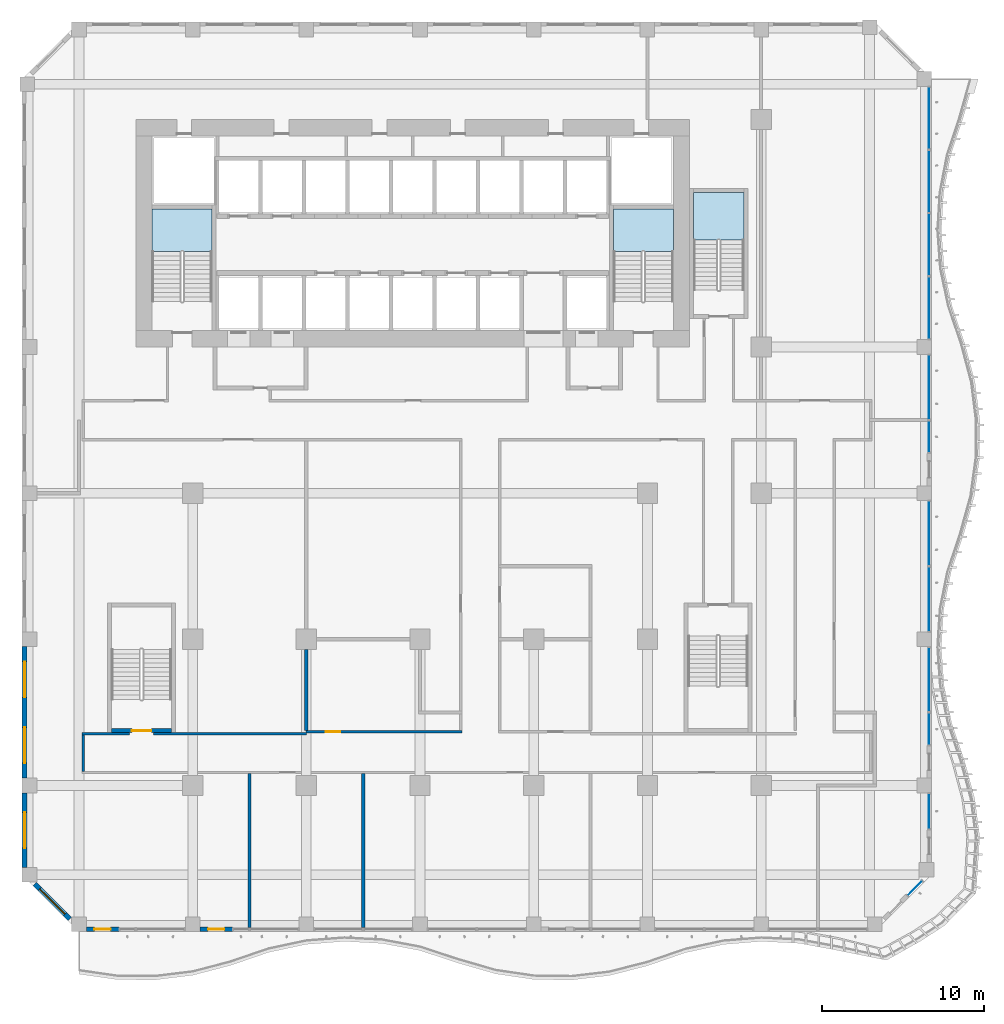
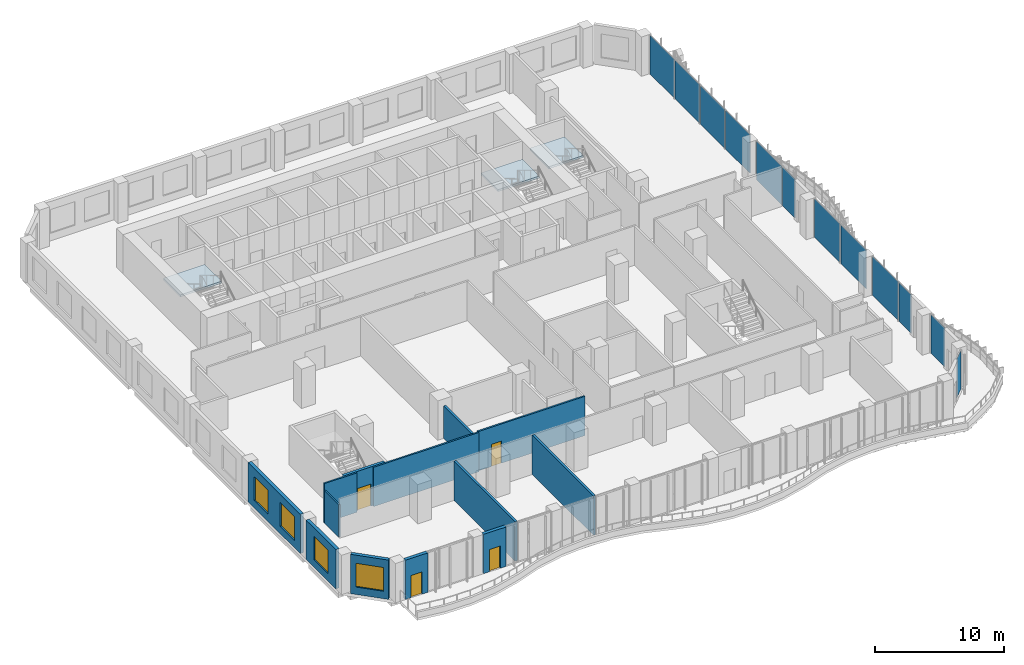
# One storey, part 13 of 29: 13 walls, 12 plates, 4 doors, 4 windows, 3 slabs, 8 openings, 15 elements without a shape of their own.
"""IFC4 building model written with IfcOpenShell, lengths in metres."""

from ifc_helpers import new_model, si_unit, direction, frame, frame_2d, origin, origin_2d, place, context, subcontext, project, spatial, polyline, rectangle, outline, extrude, source, transform, mapped, material, layer, layer_set, type_object, element, fill, aggregate, save


model = new_model("IFC4")

# Units and contexts
model_context = context("Model", 3, precision=1e-05, world=origin(), true_north=direction((0.0, 1.0)))
body_context = subcontext(model_context, "Body", "Model", "MODEL_VIEW")
ifc_project = project(units=[si_unit("LENGTHUNIT", "METRE"), si_unit("AREAUNIT", "SQUARE_METRE"), si_unit("VOLUMEUNIT", "CUBIC_METRE"), si_unit("PLANEANGLEUNIT", "RADIAN"), si_unit("MASSUNIT", "GRAM", prefix="KILO")], contexts=[model_context])

# Site, building, storey
site_placement = place(None, origin())
site = spatial("IfcSite", under=ifc_project, at=site_placement, CompositionType="ELEMENT")
building_placement = place(site_placement, origin())
building = spatial("IfcBuilding", under=site, at=building_placement, Name="Kilnfold Tower and Market Hall", CompositionType="ELEMENT")
storey_placement = place(building_placement, frame((0.0, 0.0, 79.199951171875)))
storey = spatial("IfcBuildingStorey", under=building, at=storey_placement, Name="L18", CompositionType="ELEMENT", Elevation=79.199951171875)

# Curtain wall, plate
ifc_material_1 = material(Name="Aluminium and double glazing", Category="aluminium")
curtain_wall_type = type_object("IfcCurtainWallType", Name="CW OF1 VALLEY GLAZING", PredefinedType="NOTDEFINED", material=ifc_material_1)
curtain_wall_1_placement = place(storey_placement, origin())
curtain_wall_1 = element("IfcCurtainWall", 1, at=curtain_wall_1_placement, inside=storey, type_object=curtain_wall_type, Name="Curtain wall CW1 L18 SE", PredefinedType="NOTDEFINED")
ifc_material_2 = material(Name="Double glazed unit")
ifc_layer_1 = layer(ifc_material_2, 0.031982421875)
ifc_layer_set_1 = layer_set([ifc_layer_1], Name="Double glazed unit")
plate_type = type_object("IfcPlateType", Name="GLAZING PANEL 32", PredefinedType="CURTAIN_PANEL", material=ifc_layer_set_1)
shared_shape_1 = source(origin(), body_context, "Body", "SweptSolid", [
    extrude(rectangle(XDim=1.23876953125, YDim=0.031982421875, at=origin_2d()), origin(), (0.0, 0.0, 1.0), 3.659912109375),
])
plate_1_placement = place(storey_placement, frame((31.963623046875, -25.32421875, 0.0), z_axis=(0.0, 0.0, 1.0), x_axis=(0.707106781187, 0.707106781187, 0.0)))
plate_1 = element("IfcPlate", 2, at=plate_1_placement, type_object=plate_type, Name="CW1 panel 1.1", PredefinedType="CURTAIN_PANEL", context=body_context, shape_type="MappedRepresentation", body=[
    mapped(shared_shape_1, transform((0.0, 0.0, 0.0))),
])
aggregate(curtain_wall_1, [plate_1])

curtain_wall_2_placement = place(storey_placement, origin())
curtain_wall_2 = element("IfcCurtainWall", 3, at=curtain_wall_2_placement, inside=storey, type_object=curtain_wall_type, Name="Curtain wall CW1 L18 E", PredefinedType="NOTDEFINED")
shared_shape_2 = source(origin(), body_context, "Body", "SweptSolid", [
    extrude(rectangle(XDim=2.161865234375, YDim=0.031982421875, at=origin_2d()), origin(), (0.0, 0.0, 1.0), 3.659912109375),
])
plate_2_placement = place(storey_placement, frame((32.85009765625, -20.5908203125, 0.0), z_axis=(0.0, 0.0, 1.0), x_axis=(0.0, 1.0, 0.0)))
plate_2 = element("IfcPlate", 4, at=plate_2_placement, type_object=plate_type, Name="CW1 panel 1.1", PredefinedType="CURTAIN_PANEL", context=body_context, shape_type="MappedRepresentation", body=[
    mapped(shared_shape_2, transform((0.0, 0.0, 0.0))),
])
aggregate(curtain_wall_2, [plate_2])

curtain_wall_3_placement = place(storey_placement, origin())
curtain_wall_3 = element("IfcCurtainWall", 5, at=curtain_wall_3_placement, inside=storey, type_object=curtain_wall_type, Name="Curtain wall CW1 L18 E", PredefinedType="NOTDEFINED")
shared_shape_3 = source(origin(), body_context, "Body", "SweptSolid", [
    extrude(rectangle(XDim=3.929931640625, YDim=0.031982421875, at=origin_2d()), origin(), (0.0, 0.0, 1.0), 3.659912109375),
])
plate_3_placement = place(storey_placement, frame((32.85009765625, -12.47509765625, 0.0), z_axis=(0.0, 0.0, 1.0), x_axis=(0.0, 1.0, 0.0)))
plate_3 = element("IfcPlate", 6, at=plate_3_placement, type_object=plate_type, Name="CW1 panel 1.1", PredefinedType="CURTAIN_PANEL", context=body_context, shape_type="MappedRepresentation", body=[
    mapped(shared_shape_3, transform((0.0, 0.0, 0.0))),
])
aggregate(curtain_wall_3, [plate_3])

curtain_wall_4_placement = place(storey_placement, origin())
curtain_wall_4 = element("IfcCurtainWall", 7, at=curtain_wall_4_placement, inside=storey, type_object=curtain_wall_type, Name="Curtain wall CW1 L18 E", PredefinedType="NOTDEFINED")
plate_4_placement = place(storey_placement, frame((32.85009765625, -7.52490234375, 0.0), z_axis=(0.0, 0.0, 1.0), x_axis=(0.0, 1.0, 0.0)))
plate_4 = element("IfcPlate", 8, at=plate_4_placement, type_object=plate_type, Name="CW1 panel 1.1", PredefinedType="CURTAIN_PANEL", context=body_context, shape_type="MappedRepresentation", body=[
    mapped(shared_shape_3, transform((0.0, 0.0, 0.0))),
])
aggregate(curtain_wall_4, [plate_4])

curtain_wall_5_placement = place(storey_placement, origin())
curtain_wall_5 = element("IfcCurtainWall", 9, at=curtain_wall_5_placement, inside=storey, type_object=curtain_wall_type, Name="Curtain wall CW1 L18 E", PredefinedType="NOTDEFINED")
plate_5_placement = place(storey_placement, frame((32.85009765625, -3.47509765625, 0.0), z_axis=(0.0, 0.0, 1.0), x_axis=(0.0, 1.0, 0.0)))
plate_5 = element("IfcPlate", 10, at=plate_5_placement, type_object=plate_type, Name="CW1 panel 1.1", PredefinedType="CURTAIN_PANEL", context=body_context, shape_type="MappedRepresentation", body=[
    mapped(shared_shape_3, transform((0.0, 0.0, 0.0))),
])
aggregate(curtain_wall_5, [plate_5])

curtain_wall_6_placement = place(storey_placement, origin())
curtain_wall_6 = element("IfcCurtainWall", 11, at=curtain_wall_6_placement, inside=storey, type_object=curtain_wall_type, Name="Curtain wall CW1 L18 E", PredefinedType="NOTDEFINED")
plate_6_placement = place(storey_placement, frame((32.85009765625, 5.52490234375, 0.0), z_axis=(0.0, 0.0, 1.0), x_axis=(0.0, 1.0, 0.0)))
plate_6 = element("IfcPlate", 12, at=plate_6_placement, type_object=plate_type, Name="CW1 panel 1.1", PredefinedType="CURTAIN_PANEL", context=body_context, shape_type="MappedRepresentation", body=[
    mapped(shared_shape_3, transform((0.0, 0.0, 0.0))),
])
aggregate(curtain_wall_6, [plate_6])

curtain_wall_7_placement = place(storey_placement, origin())
curtain_wall_7 = element("IfcCurtainWall", 13, at=curtain_wall_7_placement, inside=storey, type_object=curtain_wall_type, Name="Curtain wall CW1 L18 E", PredefinedType="NOTDEFINED")
shared_shape_4 = source(origin(), body_context, "Body", "SweptSolid", [
    extrude(rectangle(XDim=1.929931640625, YDim=0.031982421875, at=origin_2d()), origin(), (0.0, 0.0, 1.0), 3.659912109375),
])
plate_7_placement = place(storey_placement, frame((32.85009765625, -15.52490234375, 0.0), z_axis=(0.0, 0.0, 1.0), x_axis=(0.0, 1.0, 0.0)))
plate_7 = element("IfcPlate", 14, at=plate_7_placement, type_object=plate_type, Name="CW1 panel 1.1", PredefinedType="CURTAIN_PANEL", context=body_context, shape_type="MappedRepresentation", body=[
    mapped(shared_shape_4, transform((0.0, 0.0, 0.0))),
])
aggregate(curtain_wall_7, [plate_7])

curtain_wall_8_placement = place(storey_placement, origin())
curtain_wall_8 = element("IfcCurtainWall", 15, at=curtain_wall_8_placement, inside=storey, type_object=curtain_wall_type, Name="Curtain wall CW1 L18 E", PredefinedType="NOTDEFINED")
plate_8_placement = place(storey_placement, frame((32.85009765625, 2.47509765625, 0.0), z_axis=(0.0, 0.0, 1.0), x_axis=(0.0, 1.0, 0.0)))
plate_8 = element("IfcPlate", 16, at=plate_8_placement, type_object=plate_type, Name="CW1 panel 1.1", PredefinedType="CURTAIN_PANEL", context=body_context, shape_type="MappedRepresentation", body=[
    mapped(shared_shape_4, transform((0.0, 0.0, 0.0))),
])
aggregate(curtain_wall_8, [plate_8])

curtain_wall_9_placement = place(storey_placement, origin())
curtain_wall_9 = element("IfcCurtainWall", 17, at=curtain_wall_9_placement, inside=storey, type_object=curtain_wall_type, Name="Curtain wall CW1 L18 E", PredefinedType="NOTDEFINED")
shared_shape_5 = source(origin(), body_context, "Body", "SweptSolid", [
    extrude(rectangle(XDim=3.780029296875, YDim=0.031982421875, at=origin_2d()), origin(), (0.0, 0.0, 1.0), 3.659912109375),
])
plate_9_placement = place(storey_placement, frame((32.85009765625, 10.39990234375, 0.0), z_axis=(0.0, 0.0, 1.0), x_axis=(0.0, 1.0, 0.0)))
plate_9 = element("IfcPlate", 18, at=plate_9_placement, type_object=plate_type, Name="CW1 panel 1.1", PredefinedType="CURTAIN_PANEL", context=body_context, shape_type="MappedRepresentation", body=[
    mapped(shared_shape_5, transform((0.0, 0.0, 0.0))),
])
aggregate(curtain_wall_9, [plate_9])

curtain_wall_10_placement = place(storey_placement, origin())
curtain_wall_10 = element("IfcCurtainWall", 19, at=curtain_wall_10_placement, inside=storey, type_object=curtain_wall_type, Name="Curtain wall CW1 L18 E", PredefinedType="NOTDEFINED")
plate_10_placement = place(storey_placement, frame((32.85009765625, 14.300048828125, 0.0), z_axis=(0.0, 0.0, 1.0), x_axis=(0.0, 1.0, 0.0)))
plate_10 = element("IfcPlate", 20, at=plate_10_placement, type_object=plate_type, Name="CW1 panel 1.1", PredefinedType="CURTAIN_PANEL", context=body_context, shape_type="MappedRepresentation", body=[
    mapped(shared_shape_5, transform((0.0, 0.0, 0.0))),
])
aggregate(curtain_wall_10, [plate_10])

curtain_wall_11_placement = place(storey_placement, origin())
curtain_wall_11 = element("IfcCurtainWall", 21, at=curtain_wall_11_placement, inside=storey, type_object=curtain_wall_type, Name="Curtain wall CW1 L18 E", PredefinedType="NOTDEFINED")
plate_11_placement = place(storey_placement, frame((32.85009765625, 18.199951171875, 0.0), z_axis=(0.0, 0.0, 1.0), x_axis=(0.0, 1.0, 0.0)))
plate_11 = element("IfcPlate", 22, at=plate_11_placement, type_object=plate_type, Name="CW1 panel 1.1", PredefinedType="CURTAIN_PANEL", context=body_context, shape_type="MappedRepresentation", body=[
    mapped(shared_shape_5, transform((0.0, 0.0, 0.0))),
])
aggregate(curtain_wall_11, [plate_11])

curtain_wall_12_placement = place(storey_placement, origin())
curtain_wall_12 = element("IfcCurtainWall", 23, at=curtain_wall_12_placement, inside=storey, type_object=curtain_wall_type, Name="Curtain wall CW1 L18 E", PredefinedType="NOTDEFINED")
plate_12_placement = place(storey_placement, frame((32.85009765625, 22.10009765625, 0.0), z_axis=(0.0, 0.0, 1.0), x_axis=(0.0, 1.0, 0.0)))
plate_12 = element("IfcPlate", 24, at=plate_12_placement, type_object=plate_type, Name="CW1 panel 1.1", PredefinedType="CURTAIN_PANEL", context=body_context, shape_type="MappedRepresentation", body=[
    mapped(shared_shape_5, transform((0.0, 0.0, 0.0))),
])
aggregate(curtain_wall_12, [plate_12])

# Stair, slab
ifc_material_3 = material(Name="Concrete C40/50", Category="concrete")
stair_type_1 = type_object("IfcStairType", Name="CORE STAIR 1800", PredefinedType="HALF_TURN_STAIR", material=ifc_material_3)
stair_1_placement = place(storey_placement, origin())
stair_1 = element("IfcStair", 25, at=stair_1_placement, inside=storey, type_object=stair_type_1, Name="L18 ST1", PredefinedType="HALF_TURN_STAIR")
ifc_material_4 = material(Name="Concrete C40/50", Category="concrete")
ifc_layer_2 = layer(ifc_material_4, 0.199951171875)
ifc_layer_set_2 = layer_set([ifc_layer_2], Name="Concrete C40/50")
slab_type = type_object("IfcSlabType", Name="CORE STAIR LANDING 200", PredefinedType="LANDING", material=ifc_layer_set_2)
shared_shape_6 = source(origin(), body_context, "Body", "SweptSolid", [
    extrude(outline(polyline([(-11.300048828125, 13.8798828125), (-11.300048828125, 16.5), (-15.0, 16.5), (-15.0, 13.8798828125), (-11.300048828125, 13.8798828125)])), origin(), (0.0, 0.0, 1.0), 0.199951171875),
])
slab_1_placement = place(storey_placement, frame((0.0, 0.0, 1.800048828125)))
slab_1 = element("IfcSlab", 26, at=slab_1_placement, type_object=slab_type, Name="ST1 landing 1", PredefinedType="LANDING", context=body_context, shape_type="MappedRepresentation", body=[
    mapped(shared_shape_6, transform((0.0, 0.0, 0.0))),
])
aggregate(stair_1, [slab_1])

stair_2_placement = place(storey_placement, origin())
stair_2 = element("IfcStair", 27, at=stair_2_placement, inside=storey, type_object=stair_type_1, Name="L18 ST2", PredefinedType="HALF_TURN_STAIR")
shared_shape_7 = source(origin(), body_context, "Body", "SweptSolid", [
    extrude(outline(polyline([(17.10009765625, 13.8798828125), (17.10009765625, 16.5), (13.39990234375, 16.5), (13.39990234375, 13.8798828125), (17.10009765625, 13.8798828125)])), origin(), (0.0, 0.0, 1.0), 0.199951171875),
])
slab_2_placement = place(storey_placement, frame((0.0, 0.0, 1.800048828125)))
slab_2 = element("IfcSlab", 28, at=slab_2_placement, type_object=slab_type, Name="ST2 landing 1", PredefinedType="LANDING", context=body_context, shape_type="MappedRepresentation", body=[
    mapped(shared_shape_7, transform((0.0, 0.0, 0.0))),
])
aggregate(stair_2, [slab_2])

ifc_material_5 = material(Name="Concrete C40/50", Category="concrete")
stair_type_2 = type_object("IfcStairType", Name="CORE STAIR 1500", PredefinedType="HALF_TURN_STAIR", material=ifc_material_5)
stair_3_placement = place(storey_placement, origin())
stair_3 = element("IfcStair", 29, at=stair_3_placement, inside=storey, type_object=stair_type_2, Name="L18 ST5", PredefinedType="HALF_TURN_STAIR")
shared_shape_8 = source(origin(), body_context, "Body", "SweptSolid", [
    extrude(outline(polyline([(21.449951171875, 14.580078125), (21.449951171875, 17.5), (18.35009765625, 17.5), (18.35009765625, 14.580078125), (21.449951171875, 14.580078125)])), origin(), (0.0, 0.0, 1.0), 0.199951171875),
])
slab_3_placement = place(storey_placement, frame((0.0, 0.0, 1.800048828125)))
slab_3 = element("IfcSlab", 30, at=slab_3_placement, type_object=slab_type, Name="ST5 landing 1", PredefinedType="LANDING", context=body_context, shape_type="MappedRepresentation", body=[
    mapped(shared_shape_8, transform((0.0, 0.0, 0.0))),
])
aggregate(stair_3, [slab_3])

# Walls
ifc_material_6 = material(Name="Gypsum board on steel studs", Category="steel")
ifc_layer_3 = layer(ifc_material_6, 0.14990234375)
ifc_layer_set_3 = layer_set([ifc_layer_3], Name="Gypsum board on steel studs")
wall_type_1 = type_object("IfcWallType", Name="WALL CORRIDOR 150", PredefinedType="PARTITIONING", material=ifc_layer_set_3)
wall_1_placement = place(storey_placement, frame((-19.25, -18.125, 0.0), z_axis=(0.0, 0.0, 1.0), x_axis=(0.0, 1.0, 0.0)))
element("IfcWall", 31, at=wall_1_placement, inside=storey, type_object=wall_type_1, Name="Partition LY13.2", PredefinedType="PARTITIONING", context=body_context, shape_type="SweptSolid", body=[
    extrude(rectangle(XDim=2.22509765625, YDim=0.14990234375, at=frame_2d((1.112548828125, 0.0))), origin(), (0.0, 0.0, 1.0), 3.070068359375),
])
wall_2_placement = place(storey_placement, frame((-14.89990234375, -15.824951171875, 0.0), z_axis=(0.0, 0.0, 1.0), x_axis=(1.0, 0.0, 0.0)))
element("IfcWall", 32, at=wall_2_placement, inside=storey, type_object=wall_type_1, Name="Partition LY13.3", PredefinedType="PARTITIONING", context=body_context, shape_type="SweptSolid", body=[
    extrude(rectangle(XDim=9.409912109375, YDim=0.14990234375, at=frame_2d((4.705078125, 0.0))), origin(), (0.0, 0.0, 1.0), 3.719970703125),
])
wall_3_placement = place(storey_placement, frame((-19.324951171875, -15.824951171875, 0.0), z_axis=(0.0, 0.0, 1.0), x_axis=(1.0, 0.0, 0.0)))
element("IfcWall", 33, at=wall_3_placement, inside=storey, type_object=wall_type_1, Name="Partition LY13.4", PredefinedType="PARTITIONING", context=body_context, shape_type="SweptSolid", body=[
    extrude(rectangle(XDim=2.925048828125, YDim=0.14990234375, at=frame_2d((1.46240234375, 0.0))), origin(), (0.0, 0.0, 1.0), 3.719970703125),
])

# Wall, opening, door
wall_4_placement = place(storey_placement, frame((-5.510009765625, -15.699951171875, 0.0), z_axis=(0.0, 0.0, 1.0), x_axis=(1.0, 0.0, 0.0)))
wall_4 = element("IfcWall", 34, at=wall_4_placement, inside=storey, type_object=wall_type_1, Name="Partition LY13.12", PredefinedType="PARTITIONING", context=body_context, shape_type="SweptSolid", body=[
    extrude(rectangle(XDim=9.5849609375, YDim=0.14990234375, at=frame_2d((4.79248046875, 0.0))), origin(), (0.0, 0.0, 1.0), 3.719970703125),
])
opening_1_placement = place(wall_4_placement, frame((1.2099609375, 0.0, 0.0)))
opening_1 = element("IfcOpeningElement", 35, at=opening_1_placement, cuts=wall_4, Name="Opening D2", PredefinedType="OPENING", context=body_context, shape_type="SweptSolid", body=[
    extrude(rectangle(XDim=0.89990234375, YDim=2.10009765625, at=frame_2d((0.449951171875, 1.050048828125))), frame((0.0, 0.0849609375, 0.0), z_axis=(0.0, -1.0, 0.0), x_axis=(1.0, 0.0, 0.0)), (0.0, 0.0, 1.0), 0.169921875),
])
ifc_material_7 = material(Name="Timber veneer door leaf in steel frame", Category="steel")
door_type_1 = type_object("IfcDoorType", Name="DOOR ROOM 900 X2100", OperationType="NOTDEFINED", PredefinedType="DOOR", material=ifc_material_7)
door_1_placement = place(opening_1_placement, origin())
door_1 = element("IfcDoor", 36, at=door_1_placement, inside=storey, type_object=door_type_1, Name="Door D2", OperationType="SINGLE_SWING_LEFT", OverallHeight=2.10009765625, OverallWidth=0.89990234375, PredefinedType="DOOR", context=body_context, shape_type="SweptSolid", body=[
    extrude(rectangle(XDim=0.89990234375, YDim=2.10009765625, at=frame_2d((0.449951171875, 1.050048828125))), frame((0.0, 0.02490234375, 0.0), z_axis=(0.0, -1.0, 0.0), x_axis=(1.0, 0.0, 0.0)), (0.0, 0.0, 1.0), 0.050048828125),
])
fill(opening_1, door_1)

# Walls
ifc_material_8 = material(Name="Gypsum board on steel studs", Category="steel")
ifc_layer_4 = layer(ifc_material_8, 0.199951171875)
ifc_layer_set_4 = layer_set([ifc_layer_4], Name="Gypsum board on steel studs")
wall_type_2 = type_object("IfcWallType", Name="WALL PARTY 200", PredefinedType="PARTITIONING", material=ifc_layer_set_4)
wall_5_placement = place(storey_placement, frame((-9.0, -27.75, 0.0), z_axis=(0.0, 0.0, 1.0), x_axis=(0.0, 1.0, 0.0)))
element("IfcWall", 37, at=wall_5_placement, inside=storey, type_object=wall_type_2, Name="Partition LY13.39", PredefinedType="PARTITIONING", context=body_context, shape_type="SweptSolid", body=[
    extrude(rectangle(XDim=9.47412109375, YDim=0.199951171875, at=frame_2d((4.737060546875, 0.0))), origin(), (0.0, 0.0, 1.0), 3.719970703125),
])
wall_6_placement = place(storey_placement, frame((-5.5, -15.6240234375, 0.0), z_axis=(0.0, 0.0, 1.0), x_axis=(0.0, 1.0, 0.0)))
element("IfcWall", 38, at=wall_6_placement, inside=storey, type_object=wall_type_2, Name="Partition LY13.40", PredefinedType="PARTITIONING", context=body_context, shape_type="SweptSolid", body=[
    extrude(rectangle(XDim=4.9990234375, YDim=0.199951171875, at=frame_2d((2.49951171875, 0.0))), origin(), (0.0, 0.0, 1.0), 3.070068359375),
])
wall_7_placement = place(storey_placement, frame((-2.0, -27.75, 0.0), z_axis=(0.0, 0.0, 1.0), x_axis=(0.0, 1.0, 0.0)))
element("IfcWall", 39, at=wall_7_placement, inside=storey, type_object=wall_type_2, Name="Partition LY13.43", PredefinedType="PARTITIONING", context=body_context, shape_type="SweptSolid", body=[
    extrude(rectangle(XDim=9.47412109375, YDim=0.199951171875, at=frame_2d((4.737060546875, 0.0))), origin(), (0.0, 0.0, 1.0), 3.719970703125),
])

# Wall, opening, door
ifc_material_9 = material(Name="Concrete C80", Category="concrete")
ifc_layer_5 = layer(ifc_material_9, 0.25)
ifc_layer_set_5 = layer_set([ifc_layer_5], Name="Concrete C80")
wall_type_3 = type_object("IfcWallType", Name="CORE WALL 250 C80", PredefinedType="SHEAR", material=ifc_layer_set_5)
shared_shape_9 = source(origin(), body_context, "Body", "SweptSolid", [
    extrude(rectangle(XDim=3.699951171875, YDim=0.25, at=frame_2d((1.85009765625, 0.0))), origin(), (0.0, 0.0, 1.0), 3.719970703125),
])
wall_8_placement = place(storey_placement, frame((-17.5, -15.625, 0.0), z_axis=(0.0, 0.0, 1.0), x_axis=(1.0, 0.0, 0.0)))
wall_8 = element("IfcWall", 40, at=wall_8_placement, inside=storey, type_object=wall_type_3, Name="Stair enclosure ST3", PredefinedType="SHEAR", context=body_context, shape_type="MappedRepresentation", body=[
    mapped(shared_shape_9, transform((0.0, 0.0, 0.0))),
])
opening_2_placement = place(wall_8_placement, frame((1.25, 0.0, 0.0)))
opening_2 = element("IfcOpeningElement", 41, at=opening_2_placement, cuts=wall_8, Name="Opening SD1", PredefinedType="OPENING", context=body_context, shape_type="SweptSolid", body=[
    extrude(rectangle(XDim=1.199951171875, YDim=2.10009765625, at=frame_2d((0.60009765625, 1.050048828125))), frame((0.0, 0.135009765625, 0.0), z_axis=(0.0, -1.0, 0.0), x_axis=(1.0, 0.0, 0.0)), (0.0, 0.0, 1.0), 0.27001953125),
])
ifc_material_10 = material(Name="Steel door set with fire-resisting leaf", Category="steel")
door_type_2 = type_object("IfcDoorType", Name="STAIR FLOOR DOOR 1200X2100", OperationType="NOTDEFINED", PredefinedType="DOOR", material=ifc_material_10)
door_2_placement = place(opening_2_placement, origin())
door_2 = element("IfcDoor", 42, at=door_2_placement, inside=storey, type_object=door_type_2, Name="Exit stair ST3 door", OperationType="DOUBLE_DOOR_SINGLE_SWING", OverallHeight=2.10009765625, OverallWidth=1.199951171875, PredefinedType="DOOR", context=body_context, shape_type="SweptSolid", body=[
    extrude(rectangle(XDim=1.199951171875, YDim=2.10009765625, at=frame_2d((0.60009765625, 1.050048828125))), frame((0.0, 0.02490234375, 0.0), z_axis=(0.0, -1.0, 0.0), x_axis=(1.0, 0.0, 0.0)), (0.0, 0.0, 1.0), 0.050048828125),
])
fill(opening_2, door_2)

ifc_material_11 = material(Name="Precast concrete C50/60", Category="concrete")
ifc_layer_6 = layer(ifc_material_11, 0.300048828125)
ifc_layer_set_6 = layer_set([ifc_layer_6], Name="Precast concrete C50/60")
wall_type_4 = type_object("IfcWallType", Name="PRECAST WALL 300", PredefinedType="SOLIDWALL", material=ifc_layer_set_6)
shared_shape_10 = source(origin(), body_context, "Body", "SweptSolid", [
    extrude(rectangle(XDim=2.0, YDim=0.300048828125, at=frame_2d((1.0, 0.0))), origin(), (0.0, 0.0, 1.0), 3.719970703125),
])
wall_9_placement = place(storey_placement, frame((-19.050048828125, -27.85009765625, 0.0), z_axis=(0.0, 0.0, 1.0), x_axis=(1.0, 0.0, 0.0)))
wall_9 = element("IfcWall", 43, at=wall_9_placement, inside=storey, type_object=wall_type_4, Name="External wall L18 S", PredefinedType="SOLIDWALL", context=body_context, shape_type="MappedRepresentation", body=[
    mapped(shared_shape_10, transform((0.0, 0.0, 0.0))),
])
opening_3_placement = place(wall_9_placement, frame((0.5, 0.0, 0.0)))
opening_3 = element("IfcOpeningElement", 44, at=opening_3_placement, cuts=wall_9, Name="Opening BD1", PredefinedType="OPENING", context=body_context, shape_type="SweptSolid", body=[
    extrude(rectangle(XDim=1.0, YDim=2.10009765625, at=frame_2d((0.5, 1.050048828125))), frame((0.0, 0.16015625, 0.0), z_axis=(0.0, -1.0, 0.0), x_axis=(1.0, 0.0, 0.0)), (0.0, 0.0, 1.0), 0.320068359375),
])
ifc_material_12 = material(Name="Aluminium frame and double glazing", Category="aluminium")
door_type_3 = type_object("IfcDoorType", Name="BALCONY DOOR 1000X2100", OperationType="NOTDEFINED", PredefinedType="DOOR", material=ifc_material_12)
door_3_placement = place(opening_3_placement, origin())
door_3 = element("IfcDoor", 45, at=door_3_placement, inside=storey, type_object=door_type_3, Name="Balcony door BD1 L18 S-1", OperationType="SINGLE_SWING_LEFT", OverallHeight=2.10009765625, OverallWidth=1.0, PredefinedType="DOOR", context=body_context, shape_type="SweptSolid", body=[
    extrude(rectangle(XDim=1.0, YDim=2.10009765625, at=frame_2d((0.5, 1.050048828125))), frame((0.0, 0.02490234375, 0.0), z_axis=(0.0, -1.0, 0.0), x_axis=(1.0, 0.0, 0.0)), (0.0, 0.0, 1.0), 0.050048828125),
])
fill(opening_3, door_3)

wall_10_placement = place(storey_placement, frame((-12.050048828125, -27.85009765625, 0.0), z_axis=(0.0, 0.0, 1.0), x_axis=(1.0, 0.0, 0.0)))
wall_10 = element("IfcWall", 46, at=wall_10_placement, inside=storey, type_object=wall_type_4, Name="External wall L18 S", PredefinedType="SOLIDWALL", context=body_context, shape_type="MappedRepresentation", body=[
    mapped(shared_shape_10, transform((0.0, 0.0, 0.0))),
])
opening_4_placement = place(wall_10_placement, frame((0.5, 0.0, 0.0)))
opening_4 = element("IfcOpeningElement", 47, at=opening_4_placement, cuts=wall_10, Name="Opening BD1", PredefinedType="OPENING", context=body_context, shape_type="SweptSolid", body=[
    extrude(rectangle(XDim=1.0, YDim=2.10009765625, at=frame_2d((0.5, 1.050048828125))), frame((0.0, 0.16015625, 0.0), z_axis=(0.0, -1.0, 0.0), x_axis=(1.0, 0.0, 0.0)), (0.0, 0.0, 1.0), 0.320068359375),
])
door_4_placement = place(opening_4_placement, origin())
door_4 = element("IfcDoor", 48, at=door_4_placement, inside=storey, type_object=door_type_3, Name="Balcony door BD1 L18 S-1", OperationType="SINGLE_SWING_LEFT", OverallHeight=2.10009765625, OverallWidth=1.0, PredefinedType="DOOR", context=body_context, shape_type="SweptSolid", body=[
    extrude(rectangle(XDim=1.0, YDim=2.10009765625, at=frame_2d((0.5, 1.050048828125))), frame((0.0, 0.02490234375, 0.0), z_axis=(0.0, -1.0, 0.0), x_axis=(1.0, 0.0, 0.0)), (0.0, 0.0, 1.0), 0.050048828125),
])
fill(opening_4, door_4)

# Wall, openings, windows
shared_shape_11 = source(origin(), body_context, "Body", "SweptSolid", [
    extrude(rectangle(XDim=8.10009765625, YDim=0.300048828125, at=frame_2d((4.050048828125, 0.0))), origin(), (0.0, 0.0, 1.0), 3.719970703125),
])
wall_11_placement = place(storey_placement, frame((-22.85009765625, -10.449951171875, 0.0), z_axis=(0.0, 0.0, 1.0), x_axis=(0.0, -1.0, 0.0)))
wall_11 = element("IfcWall", 49, at=wall_11_placement, inside=storey, type_object=wall_type_4, Name="External wall L18 W", PredefinedType="SOLIDWALL", context=body_context, shape_type="MappedRepresentation", body=[
    mapped(shared_shape_11, transform((0.0, 0.0, 0.0))),
])
opening_5_placement = place(wall_11_placement, frame((0.925048828125, 0.0, 0.699951171875)))
opening_5 = element("IfcOpeningElement", 50, at=opening_5_placement, cuts=wall_11, Name="Opening W1", PredefinedType="OPENING", context=body_context, shape_type="SweptSolid", body=[
    extrude(rectangle(XDim=2.199951171875, YDim=2.25, at=frame_2d((1.10009765625, 1.125))), frame((0.0, 0.16015625, 0.0), z_axis=(0.0, -1.0, 0.0), x_axis=(1.0, 0.0, 0.0)), (0.0, 0.0, 1.0), 0.320068359375),
])
opening_6_placement = place(wall_11_placement, frame((4.97509765625, 0.0, 0.699951171875)))
opening_6 = element("IfcOpeningElement", 51, at=opening_6_placement, cuts=wall_11, Name="Opening W1", PredefinedType="OPENING", context=body_context, shape_type="SweptSolid", body=[
    extrude(rectangle(XDim=2.199951171875, YDim=2.25, at=frame_2d((1.10009765625, 1.125))), frame((0.0, 0.16015625, 0.0), z_axis=(0.0, -1.0, 0.0), x_axis=(1.0, 0.0, 0.0)), (0.0, 0.0, 1.0), 0.320068359375),
])
ifc_material_13 = material(Name="Aluminium frame and double glazing", Category="aluminium")
window_type = type_object("IfcWindowType", Name="WINDOW W1 2200X2250", PartitioningType="SINGLE_PANEL", PredefinedType="WINDOW", material=ifc_material_13)
window_1_placement = place(opening_5_placement, origin())
window_1 = element("IfcWindow", 52, at=window_1_placement, inside=storey, type_object=window_type, Name="Window W1 L18 W-1", OverallHeight=2.25, OverallWidth=2.199951171875, PartitioningType="SINGLE_PANEL", PredefinedType="WINDOW", context=body_context, shape_type="SweptSolid", body=[
    extrude(rectangle(XDim=2.199951171875, YDim=2.25, at=frame_2d((1.10009765625, 1.125))), frame((0.0, 0.030029296875, 0.0), z_axis=(0.0, -1.0, 0.0), x_axis=(1.0, 0.0, 0.0)), (0.0, 0.0, 1.0), 0.06005859375),
])
fill(opening_5, window_1)
window_2_placement = place(opening_6_placement, origin())
window_2 = element("IfcWindow", 53, at=window_2_placement, inside=storey, type_object=window_type, Name="Window W1 L18 W-2", OverallHeight=2.25, OverallWidth=2.199951171875, PartitioningType="SINGLE_PANEL", PredefinedType="WINDOW", context=body_context, shape_type="SweptSolid", body=[
    extrude(rectangle(XDim=2.199951171875, YDim=2.25, at=frame_2d((1.10009765625, 1.125))), frame((0.0, 0.030029296875, 0.0), z_axis=(0.0, -1.0, 0.0), x_axis=(1.0, 0.0, 0.0)), (0.0, 0.0, 1.0), 0.06005859375),
])
fill(opening_6, window_2)

# Wall, opening, window
shared_shape_12 = source(origin(), body_context, "Body", "SweptSolid", [
    extrude(rectangle(XDim=4.60009765625, YDim=0.300048828125, at=frame_2d((2.300048828125, 0.0))), origin(), (0.0, 0.0, 1.0), 3.719970703125),
])
wall_12_placement = place(storey_placement, frame((-22.85009765625, -19.449951171875, 0.0), z_axis=(0.0, 0.0, 1.0), x_axis=(0.0, -1.0, 0.0)))
wall_12 = element("IfcWall", 54, at=wall_12_placement, inside=storey, type_object=wall_type_4, Name="External wall L18 W", PredefinedType="SOLIDWALL", context=body_context, shape_type="MappedRepresentation", body=[
    mapped(shared_shape_12, transform((0.0, 0.0, 0.0))),
])
opening_7_placement = place(wall_12_placement, frame((1.199951171875, 0.0, 0.699951171875)))
opening_7 = element("IfcOpeningElement", 55, at=opening_7_placement, cuts=wall_12, Name="Opening W1", PredefinedType="OPENING", context=body_context, shape_type="SweptSolid", body=[
    extrude(rectangle(XDim=2.199951171875, YDim=2.25, at=frame_2d((1.10009765625, 1.125))), frame((0.0, 0.16015625, 0.0), z_axis=(0.0, -1.0, 0.0), x_axis=(1.0, 0.0, 0.0)), (0.0, 0.0, 1.0), 0.320068359375),
])
window_3_placement = place(opening_7_placement, origin())
window_3 = element("IfcWindow", 56, at=window_3_placement, inside=storey, type_object=window_type, Name="Window W1 L18 W-1", OverallHeight=2.25, OverallWidth=2.199951171875, PartitioningType="SINGLE_PANEL", PredefinedType="WINDOW", context=body_context, shape_type="SweptSolid", body=[
    extrude(rectangle(XDim=2.199951171875, YDim=2.25, at=frame_2d((1.10009765625, 1.125))), frame((0.0, 0.030029296875, 0.0), z_axis=(0.0, -1.0, 0.0), x_axis=(1.0, 0.0, 0.0)), (0.0, 0.0, 1.0), 0.06005859375),
])
fill(opening_7, window_3)

shared_shape_13 = source(origin(), body_context, "Body", "SweptSolid", [
    extrude(rectangle(XDim=3.040771484375, YDim=0.300048828125, at=frame_2d((1.5205078125, 0.0))), origin(), (0.0, 0.0, 1.0), 3.719970703125),
])
wall_13_placement = place(storey_placement, frame((-22.218994140625, -25.06884765625, 0.0), z_axis=(0.0, 0.0, 1.0), x_axis=(0.707106781187, -0.707106781187, 0.0)))
wall_13 = element("IfcWall", 57, at=wall_13_placement, inside=storey, type_object=wall_type_4, Name="External wall L18 SW", PredefinedType="SOLIDWALL", context=body_context, shape_type="MappedRepresentation", body=[
    mapped(shared_shape_13, transform((0.0, 0.0, 0.0))),
])
opening_8_placement = place(wall_13_placement, frame((0.42041015625, 0.0, 0.699951171875)))
opening_8 = element("IfcOpeningElement", 58, at=opening_8_placement, cuts=wall_13, Name="Opening W1", PredefinedType="OPENING", context=body_context, shape_type="SweptSolid", body=[
    extrude(rectangle(XDim=2.199951171875, YDim=2.25, at=frame_2d((1.10009765625, 1.125))), frame((0.0, 0.16015625, 0.0), z_axis=(0.0, -1.0, 0.0), x_axis=(1.0, 0.0, 0.0)), (0.0, 0.0, 1.0), 0.320068359375),
])
window_4_placement = place(opening_8_placement, origin())
window_4 = element("IfcWindow", 59, at=window_4_placement, inside=storey, type_object=window_type, Name="Window W1 L18 SW-1", OverallHeight=2.25, OverallWidth=2.199951171875, PartitioningType="SINGLE_PANEL", PredefinedType="WINDOW", context=body_context, shape_type="SweptSolid", body=[
    extrude(rectangle(XDim=2.199951171875, YDim=2.25, at=frame_2d((1.10009765625, 1.125))), frame((0.0, 0.030029296875, 0.0), z_axis=(0.0, -1.0, 0.0), x_axis=(1.0, 0.0, 0.0)), (0.0, 0.0, 1.0), 0.06005859375),
])
fill(opening_8, window_4)

save(model, "model.ifc")
